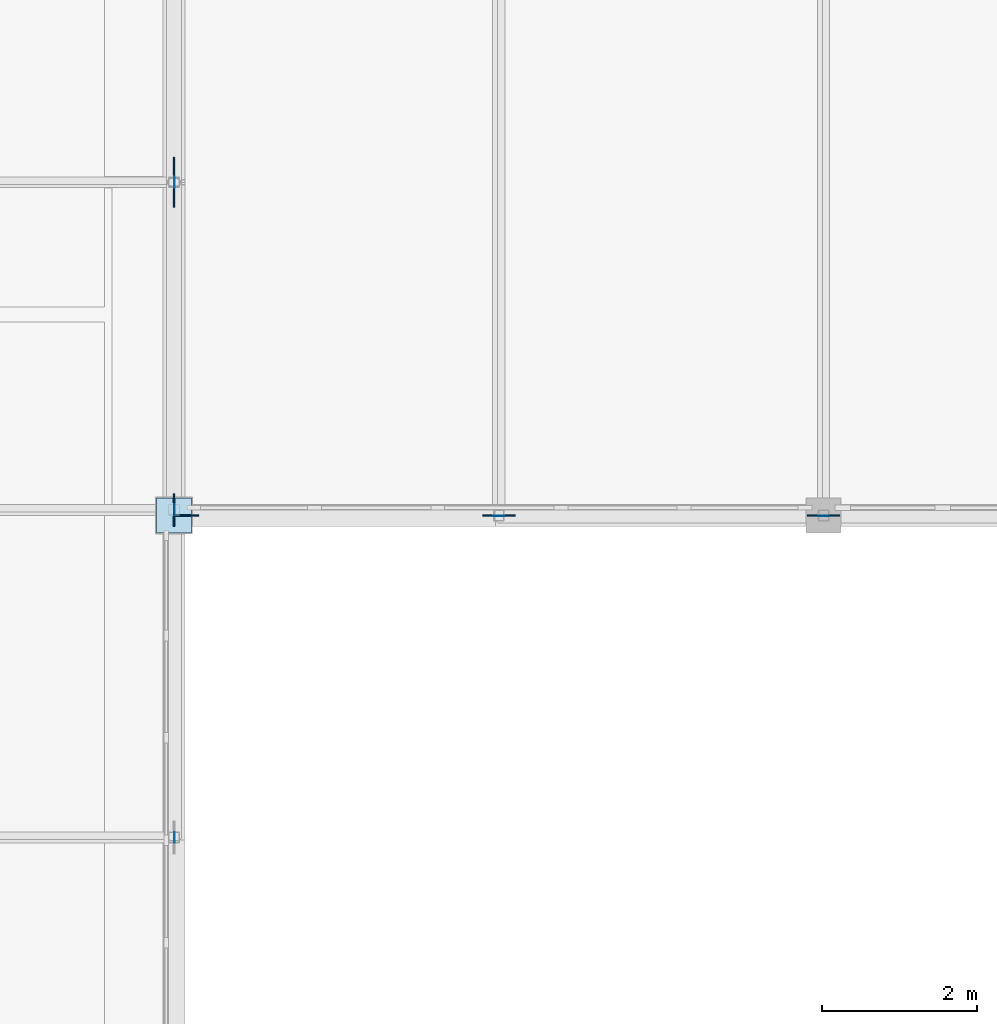
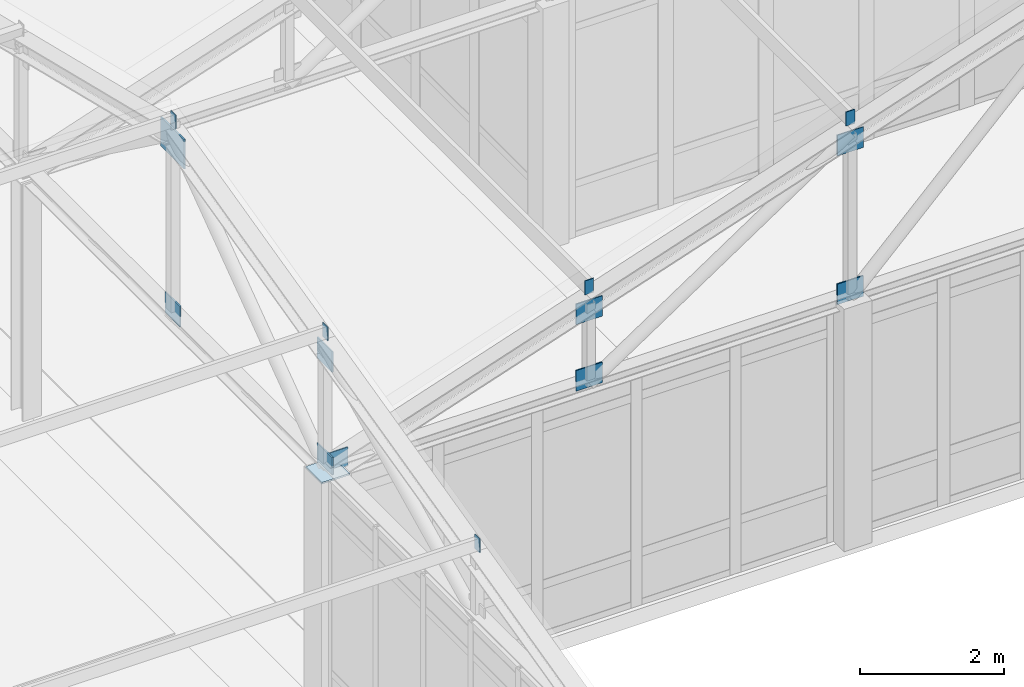
# One storey, part 136 of 192: 15 plates.
"""IFC4 building model written with IfcOpenShell, lengths in metres."""

from ifc_helpers import new_model, si_unit, direction, frame, origin, origin_2d, place, context, subcontext, project, spatial, rectangle, extrude, material, layer, layer_set, type_object, element, save


model = new_model("IFC4")

# Units and contexts
model_context = context("Model", 3, precision=1e-05, world=origin(), true_north=direction((0.0, 1.0)))
body_context = subcontext(model_context, "Body", "Model", "MODEL_VIEW")
ifc_project = project(units=[si_unit("LENGTHUNIT", "METRE"), si_unit("AREAUNIT", "SQUARE_METRE"), si_unit("VOLUMEUNIT", "CUBIC_METRE"), si_unit("PLANEANGLEUNIT", "RADIAN"), si_unit("MASSUNIT", "GRAM", prefix="KILO")], contexts=[model_context])

# Site, building, storey
site_placement = place(None, origin())
site = spatial("IfcSite", under=ifc_project, at=site_placement, CompositionType="ELEMENT")
building_placement = place(site_placement, origin())
building = spatial("IfcBuilding", under=site, at=building_placement, Name="Kveldsbrygga Polytechnic", CompositionType="ELEMENT")
storey_placement = place(building_placement, frame((0.0, 0.0, 5.43994140625)))
storey = spatial("IfcBuildingStorey", under=building, at=storey_placement, Name="L01", CompositionType="ELEMENT", Elevation=5.43994140625)

# Plates
ifc_material = material(Name="Steel S355", Category="steel")
ifc_layer_1 = layer(ifc_material, 0.030029296875)
ifc_layer_set_1 = layer_set([ifc_layer_1], Name="Steel S355")
plate_type_1 = type_object("IfcPlateType", Name="CAP-BEAR-450", PredefinedType="SHEET", material=ifc_layer_set_1)
plate_1_placement = place(storey_placement, frame((50.39990234375, 8.39990234375, 4.08984375), z_axis=(0.0, 0.0, 1.0), x_axis=(1.0, 0.0, 0.0)))
element("IfcPlate", 1, at=plate_1_placement, inside=storey, type_object=plate_type_1, Name="Truss Bearing Plate V5C-T01-A", PredefinedType="SHEET", context=body_context, shape_type="SweptSolid", body=[
    extrude(rectangle(XDim=0.449951171875, YDim=0.449951171875, at=origin_2d()), origin(), (0.0, 0.0, 1.0), 0.030029296875),
])
ifc_layer_2 = layer(ifc_material, 0.011962890625)
ifc_layer_set_2 = layer_set([ifc_layer_2], Name="Steel S355")
plate_type_2 = type_object("IfcPlateType", Name="CAP-PRL-200", PredefinedType="SHEET", material=ifc_layer_set_2)
for number, where, z_axis, x_axis, name in (
    (2, (50.406005859375, 4.236572265625, 5.27001953125), (0.0, 0.0, 1.0), (1.0, 0.0, 0.0), "Purlin End Cap Plate V5S-EP-B-1"),
    (3, (50.406005859375, 8.473388671875, 6.3037109375), (0.0, 0.0, 1.0), (1.0, 0.0, 0.0), "Purlin End Cap Plate V5S-EP-B-2"),
    (4, (50.406005859375, 12.7099609375, 7.3369140625), (0.0, 0.0, 1.0), (1.0, 0.0, 0.0), "Purlin End Cap Plate V5S-EP-B-3"),
):
    element("IfcPlate", number, at=place(storey_placement, frame(where, z_axis=z_axis, x_axis=x_axis)), inside=storey, type_object=plate_type_2, Name=name, PredefinedType="SHEET", context=body_context, shape_type="SweptSolid", body=[
        extrude(rectangle(XDim=0.011962890625, YDim=0.139892578125, at=origin_2d()), origin(), (0.0, 0.0, 1.0), 0.239990234375),
    ])
for number, where, z_axis, x_axis, name in (
    (5, (54.60009765625, 8.39404296875, 5.65283203125), (0.0, 0.0, 1.0), (1.0, 0.0, 0.0), "Purlin End Cap Plate V5C-EP-A-1"),
    (6, (58.800048828125, 8.39404296875, 7.05322265625), (0.0, 0.0, 1.0), (1.0, 0.0, 0.0), "Purlin End Cap Plate V5C-EP-A-2"),
):
    element("IfcPlate", number, at=place(storey_placement, frame(where, z_axis=z_axis, x_axis=x_axis)), inside=storey, type_object=plate_type_2, Name=name, PredefinedType="SHEET", context=body_context, shape_type="SweptSolid", body=[
        extrude(rectangle(XDim=0.139892578125, YDim=0.011962890625, at=origin_2d()), origin(), (0.0, 0.0, 1.0), 0.239990234375),
    ])
ifc_layer_3 = layer(ifc_material, 0.02490234375)
ifc_layer_set_3 = layer_set([ifc_layer_3], Name="Steel S355")
plate_type_3 = type_object("IfcPlateType", Name="GUS-APEX-650", PredefinedType="SHEET", material=ifc_layer_set_3)
plate_2_placement = place(storey_placement, frame((50.39990234375, 12.7099609375, 6.820068359375), z_axis=(0.0, 0.0, 1.0), x_axis=(1.0, 0.0, 0.0)))
element("IfcPlate", 7, at=plate_2_placement, inside=storey, type_object=plate_type_3, Name="Truss Gusset Plate V5S-T07-GP-3", PredefinedType="SHEET", context=body_context, shape_type="SweptSolid", body=[
    extrude(rectangle(XDim=0.02490234375, YDim=0.64990234375, at=origin_2d()), origin(), (0.0, 0.0, 1.0), 0.5),
])
ifc_layer_4 = layer(ifc_material, 0.01806640625)
ifc_layer_set_4 = layer_set([ifc_layer_4], Name="Steel S355")
plate_type_4 = type_object("IfcPlateType", Name="GUS-BRACE-320", PredefinedType="SHEET", material=ifc_layer_set_4)
plate_3_placement = place(storey_placement, frame((50.56005859375, 8.39990234375, 4.080078125), z_axis=(0.0, 0.0, 1.0), x_axis=(1.0, 0.0, 0.0)))
element("IfcPlate", 8, at=plate_3_placement, inside=storey, type_object=plate_type_4, Name="Truss Eaves Node Gusset V5C-T01-EGP-A", PredefinedType="SHEET", context=body_context, shape_type="SweptSolid", body=[
    extrude(rectangle(XDim=0.320068359375, YDim=0.01806640625, at=origin_2d()), origin(), (0.0, 0.0, 1.0), 0.320068359375),
])
ifc_layer_5 = layer(ifc_material, 0.02001953125)
ifc_layer_set_5 = layer_set([ifc_layer_5], Name="Steel S355")
plate_type_5 = type_object("IfcPlateType", Name="GUS-LECT-420", PredefinedType="SHEET", material=ifc_layer_set_5)
for number, where, z_axis, x_axis, name in (
    (9, (50.39990234375, 8.473388671875, 5.861572265625), (0.0, 0.0, 1.0), (1.0, 0.0, 0.0), "Truss Gusset Plate V5S-T07-GP-2"),
    (10, (50.39990234375, 8.473388671875, 4.06494140625), (0.0, 0.0, 1.0), (1.0, 0.0, 0.0), "Truss Bottom-Chord Node Gusset V5S-T07-BGP-2"),
    (11, (50.39990234375, 12.7099609375, 4.06494140625), (0.0, 0.0, 1.0), (1.0, 0.0, 0.0), "Truss Bottom-Chord Node Gusset V5S-T07-BGP-3"),
):
    element("IfcPlate", number, at=place(storey_placement, frame(where, z_axis=z_axis, x_axis=x_axis)), inside=storey, type_object=plate_type_5, Name=name, PredefinedType="SHEET", context=body_context, shape_type="SweptSolid", body=[
        extrude(rectangle(XDim=0.02001953125, YDim=0.419921875, at=origin_2d()), origin(), (0.0, 0.0, 1.0), 0.35009765625),
    ])
for number, where, z_axis, x_axis, name in (
    (12, (54.60009765625, 8.39990234375, 5.195068359375), (0.0, 0.0, 1.0), (1.0, 0.0, 0.0), "Truss Gusset Plate V5C-T01-GP-1"),
    (13, (54.60009765625, 8.39990234375, 4.06494140625), (0.0, 0.0, 1.0), (1.0, 0.0, 0.0), "Truss Bottom-Chord Node Gusset V5C-T01-BGP-1"),
    (14, (58.800048828125, 8.39990234375, 6.594970703125), (0.0, 0.0, 1.0), (1.0, 0.0, 0.0), "Truss Gusset Plate V5C-T01-GP-2"),
    (15, (58.800048828125, 8.39990234375, 4.06494140625), (0.0, 0.0, 1.0), (1.0, 0.0, 0.0), "Truss Bottom-Chord Node Gusset V5C-T01-BGP-2"),
):
    element("IfcPlate", number, at=place(storey_placement, frame(where, z_axis=z_axis, x_axis=x_axis)), inside=storey, type_object=plate_type_5, Name=name, PredefinedType="SHEET", context=body_context, shape_type="SweptSolid", body=[
        extrude(rectangle(XDim=0.419921875, YDim=0.02001953125, at=origin_2d()), origin(), (0.0, 0.0, 1.0), 0.35009765625),
    ])

save(model, "model.ifc")
